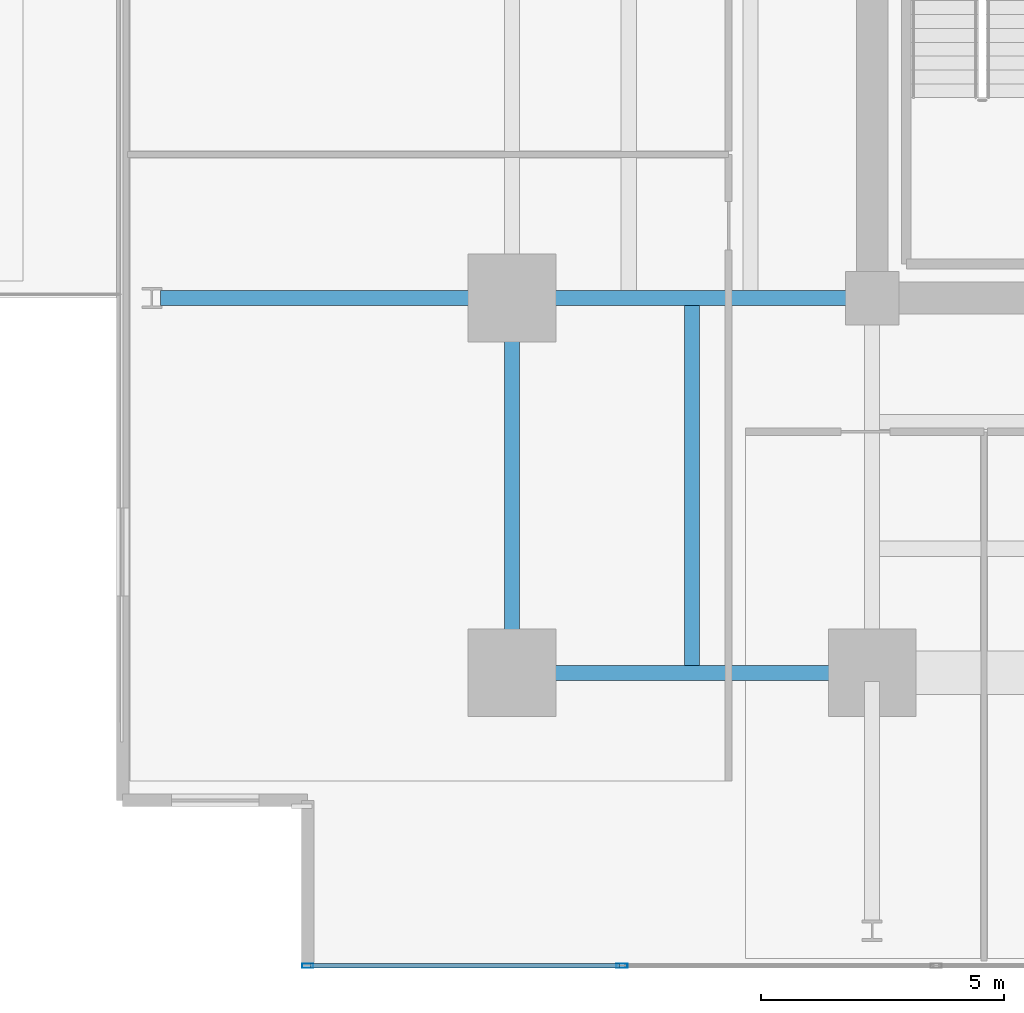
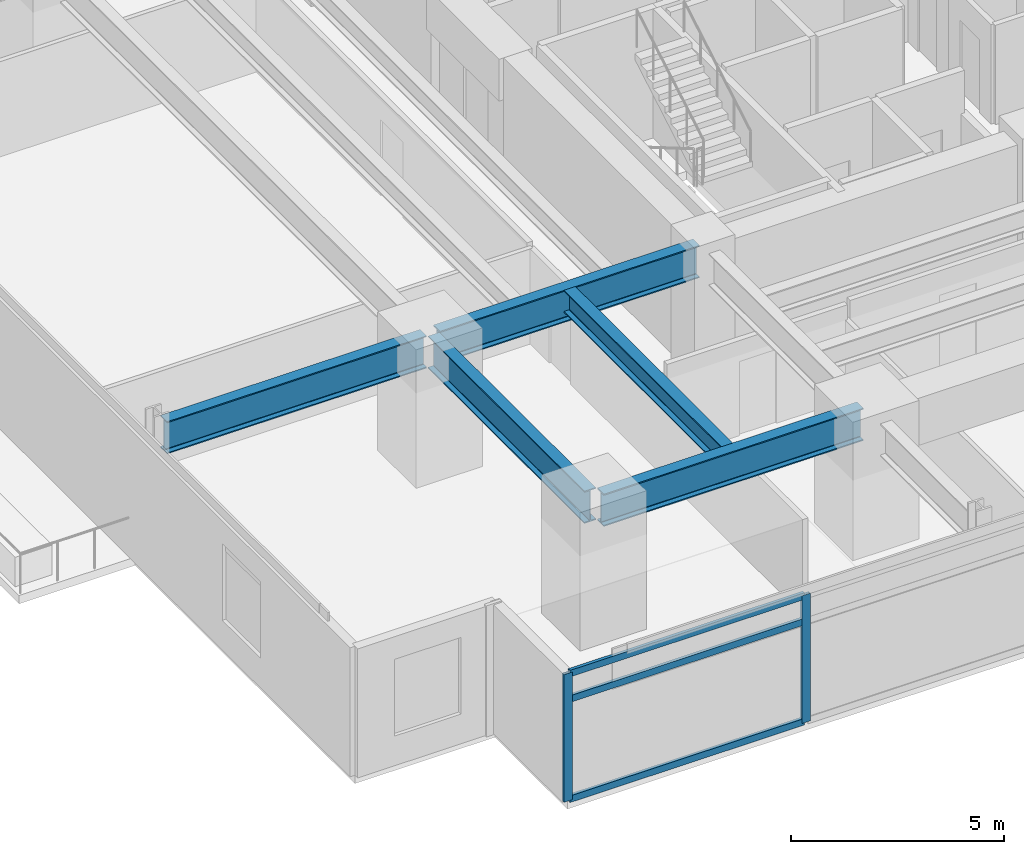
# One storey, part 2 of 23: 5 beams, 5 members, 1 element without a shape of its own.
"""IFC4 building model written with IfcOpenShell, lengths in metres."""

from ifc_helpers import new_model, si_unit, direction, frame, origin, origin_2d, place, context, subcontext, project, spatial, hollow_rectangle, i_section, extrude, material, material_profile, profile_set, type_object, element, aggregate, save


model = new_model("IFC4")

# Units and contexts
model_context = context("Model", 3, precision=1e-05, world=origin(), true_north=direction((0.0, 1.0)))
body_context = subcontext(model_context, "Body", "Model", "MODEL_VIEW")
ifc_project = project(units=[si_unit("LENGTHUNIT", "METRE"), si_unit("AREAUNIT", "SQUARE_METRE"), si_unit("VOLUMEUNIT", "CUBIC_METRE"), si_unit("PLANEANGLEUNIT", "RADIAN"), si_unit("MASSUNIT", "GRAM", prefix="KILO")], contexts=[model_context])

# Site, building, storey
site_placement = place(None, origin())
site = spatial("IfcSite", under=ifc_project, at=site_placement, CompositionType="ELEMENT")
building_placement = place(site_placement, origin())
building = spatial("IfcBuilding", under=site, at=building_placement, Name="Kovane Verandah Tower", CompositionType="ELEMENT")
storey_placement = place(building_placement, frame((0.0, 0.0, 103.60009765625)))
storey = spatial("IfcBuildingStorey", under=building, at=storey_placement, Name="L24", CompositionType="ELEMENT", Elevation=103.60009765625)

# Beams
ifc_material_1 = material(Name="Steel S460", Category="steel")
ifc_material_profile_1 = material_profile(ifc_material_1, i_section(OverallWidth=0.311279296875, OverallDepth=0.6357421875, WebThickness=0.018310546875, FlangeThickness=0.031494140625, FilletRadius=0.0166015625, at=origin_2d()), Name="UB610x305x238")
ifc_profile_set_1 = profile_set([ifc_material_profile_1], Name="Steel S460")
beam_type_1 = type_object("IfcBeamType", Name="BM-UB610x238", PredefinedType="BEAM", material=ifc_profile_set_1)
beam_1_placement = place(storey_placement, frame((25.300048828125, 10.951904296875, 3.382080078125), z_axis=(0.0, 1.0, 0.0), x_axis=(-1.0, 0.0, 0.0)))
element("IfcBeam", 1, at=beam_1_placement, inside=storey, type_object=beam_type_1, Name="L24 Secondary Composite Joist J-SW1", PredefinedType="BEAM", context=body_context, shape_type="SweptSolid", body=[
    extrude(i_section(OverallWidth=0.311279296875, OverallDepth=0.6357421875, WebThickness=0.018310546875, FlangeThickness=0.031494140625, FilletRadius=0.0166015625, at=origin_2d()), origin(), (0.0, 0.0, 1.0), 7.396240234375),
])
ifc_material_profile_2 = material_profile(ifc_material_1, i_section(OverallWidth=0.3076171875, OverallDepth=0.926513671875, WebThickness=0.01953125, FlangeThickness=0.031982421875, FilletRadius=0.01904296875, at=origin_2d()), Name="UB914x305x289")
ifc_profile_set_2 = profile_set([ifc_material_profile_2], Name="Steel S460")
beam_type_2 = type_object("IfcBeamType", Name="BM-UB914x289", PredefinedType="BEAM", material=ifc_profile_set_2)
beam_2_placement = place(storey_placement, frame((21.780029296875, 10.800048828125, 3.236572265625), z_axis=(1.0, 0.0, 0.0), x_axis=(0.0, 1.0, 0.0)))
element("IfcBeam", 2, at=beam_2_placement, inside=storey, type_object=beam_type_2, Name="L24 Primary Tower Girder G-RS1", PredefinedType="BEAM", context=body_context, shape_type="SweptSolid", body=[
    extrude(i_section(OverallWidth=0.3076171875, OverallDepth=0.926513671875, WebThickness=0.01953125, FlangeThickness=0.031982421875, FilletRadius=0.01904296875, at=origin_2d()), origin(), (0.0, 0.0, 1.0), 7.0400390625),
])
beam_3_placement = place(storey_placement, frame((21.60009765625, 10.97998046875, 3.236572265625), z_axis=(0.0, 1.0, 0.0), x_axis=(-1.0, 0.0, 0.0)))
element("IfcBeam", 3, at=beam_3_placement, inside=storey, type_object=beam_type_2, Name="L24 Primary Tower Girder G-RW1", PredefinedType="BEAM", context=body_context, shape_type="SweptSolid", body=[
    extrude(i_section(OverallWidth=0.3076171875, OverallDepth=0.926513671875, WebThickness=0.01953125, FlangeThickness=0.031982421875, FilletRadius=0.01904296875, at=origin_2d()), origin(), (0.0, 0.0, 1.0), 7.340087890625),
])
for number, where, z_axis, x_axis, name in (
    (4, (28.820068359375, 18.5, 3.236572265625), (-1.0, 0.0, 0.0), (0.0, -1.0, 0.0), "L24 Primary Tower Girder G-W1"),
    (5, (21.419921875, 18.5, 3.236572265625), (-1.0, 0.0, 0.0), (0.0, -1.0, 0.0), "L24 Primary Tower Girder G-VW1"),
):
    element("IfcBeam", number, at=place(storey_placement, frame(where, z_axis=z_axis, x_axis=x_axis)), inside=storey, type_object=beam_type_2, Name=name, PredefinedType="BEAM", context=body_context, shape_type="SweptSolid", body=[
        extrude(i_section(OverallWidth=0.3076171875, OverallDepth=0.926513671875, WebThickness=0.01953125, FlangeThickness=0.031982421875, FilletRadius=0.01904296875, at=origin_2d()), origin(), (0.0, 0.0, 1.0), 7.0400390625),
    ])

# Curtain wall, members
ifc_material_2 = material(Name="Champagne Anodised Aluminium Frame with Low-E Clear Laminated Glass", Category="aluminium")
curtain_wall_type = type_object("IfcCurtainWallType", Name="CW-SYS-02-LOW", PredefinedType="NOTDEFINED", material=ifc_material_2)
curtain_wall_placement = place(storey_placement, origin())
curtain_wall = element("IfcCurtainWall", 6, at=curtain_wall_placement, inside=storey, type_object=curtain_wall_type, Name="L24 S Unitised Curtain Wall", PredefinedType="NOTDEFINED")
ifc_material_3 = material(Name="Champagne Anodised Aluminium 6063-T6", Category="aluminium")
ifc_material_profile_3 = material_profile(ifc_material_3, hollow_rectangle(XDim=0.0849609375, YDim=0.22998046875, WallThickness=0.00390625, at=origin_2d()), Name="AL85x230x4")
ifc_profile_set_3 = profile_set([ifc_material_profile_3], Name="Champagne Anodised Aluminium 6063-T6")
member_type_1 = type_object("IfcMemberType", Name="CW-MUL-85x230", PredefinedType="MULLION", material=ifc_profile_set_3)
member_1_placement = place(storey_placement, frame((17.4013671875, 4.781005859375, 0.02001953125), z_axis=(0.0, 0.0, 1.0), x_axis=(0.0, -1.0, 0.0)))
member_1 = element("IfcMember", 7, at=member_1_placement, type_object=member_type_1, Name="L24 S Unitised Curtain Wall Mullion 1", PredefinedType="MULLION", context=body_context, shape_type="SweptSolid", body=[
    extrude(hollow_rectangle(XDim=0.0849609375, YDim=0.22998046875, WallThickness=0.00390625, at=origin_2d()), origin(), (0.0, 0.0, 1.0), 3.659912109375),
])
member_2_placement = place(storey_placement, frame((23.858154296875, 4.781005859375, 0.02001953125), z_axis=(0.0, 0.0, 1.0), x_axis=(0.0, -1.0, 0.0)))
member_2 = element("IfcMember", 8, at=member_2_placement, type_object=member_type_1, Name="L24 S Unitised Curtain Wall Mullion 2", PredefinedType="MULLION", context=body_context, shape_type="SweptSolid", body=[
    extrude(hollow_rectangle(XDim=0.0849609375, YDim=0.22998046875, WallThickness=0.00390625, at=origin_2d()), origin(), (0.0, 0.0, 1.0), 3.659912109375),
])
ifc_material_profile_4 = material_profile(ifc_material_3, hollow_rectangle(XDim=0.0849609375, YDim=0.18994140625, WallThickness=0.00390625, at=origin_2d()), Name="AL85x190x4")
ifc_profile_set_4 = profile_set([ifc_material_profile_4], Name="Champagne Anodised Aluminium 6063-T6")
member_type_2 = type_object("IfcMemberType", Name="CW-TRN-85x190", PredefinedType="USERDEFINED", material=ifc_profile_set_4)
member_3_placement = place(storey_placement, frame((17.451416015625, 4.781005859375, 0.0498046875), z_axis=(1.0, 0.0, 0.0), x_axis=(0.0, 1.0, 0.0)))
member_3 = element("IfcMember", 9, at=member_3_placement, type_object=member_type_2, Name="L24 S Unitised Curtain Wall Transom TB Bay 1", ObjectType="TRANSOM", PredefinedType="USERDEFINED", context=body_context, shape_type="SweptSolid", body=[
    extrude(hollow_rectangle(XDim=0.0849609375, YDim=0.18994140625, WallThickness=0.00390625, at=origin_2d()), origin(), (0.0, 0.0, 1.0), 6.356689453125),
])
member_4_placement = place(storey_placement, frame((17.451416015625, 4.781005859375, 2.919921875), z_axis=(1.0, 0.0, 0.0), x_axis=(0.0, 1.0, 0.0)))
member_4 = element("IfcMember", 10, at=member_4_placement, type_object=member_type_2, Name="L24 S Unitised Curtain Wall Transom TM Bay 1", ObjectType="TRANSOM", PredefinedType="USERDEFINED", context=body_context, shape_type="SweptSolid", body=[
    extrude(hollow_rectangle(XDim=0.0849609375, YDim=0.18994140625, WallThickness=0.00390625, at=origin_2d()), origin(), (0.0, 0.0, 1.0), 6.356689453125),
])
member_5_placement = place(storey_placement, frame((17.451416015625, 4.781005859375, 3.64990234375), z_axis=(1.0, 0.0, 0.0), x_axis=(0.0, 1.0, 0.0)))
member_5 = element("IfcMember", 11, at=member_5_placement, type_object=member_type_2, Name="L24 S Unitised Curtain Wall Transom TT Bay 1", ObjectType="TRANSOM", PredefinedType="USERDEFINED", context=body_context, shape_type="SweptSolid", body=[
    extrude(hollow_rectangle(XDim=0.0849609375, YDim=0.18994140625, WallThickness=0.00390625, at=origin_2d()), origin(), (0.0, 0.0, 1.0), 6.356689453125),
])
aggregate(curtain_wall, [member_1, member_2, member_3, member_4, member_5])

save(model, "model.ifc")
